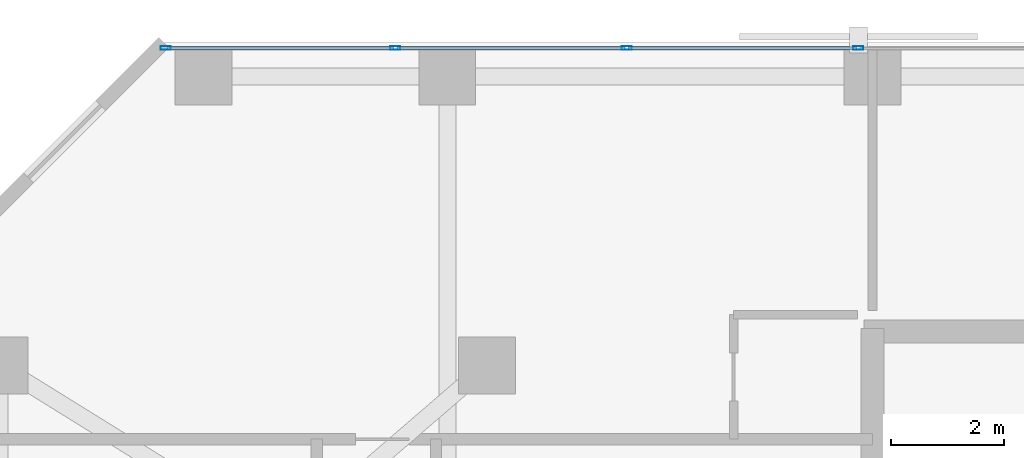
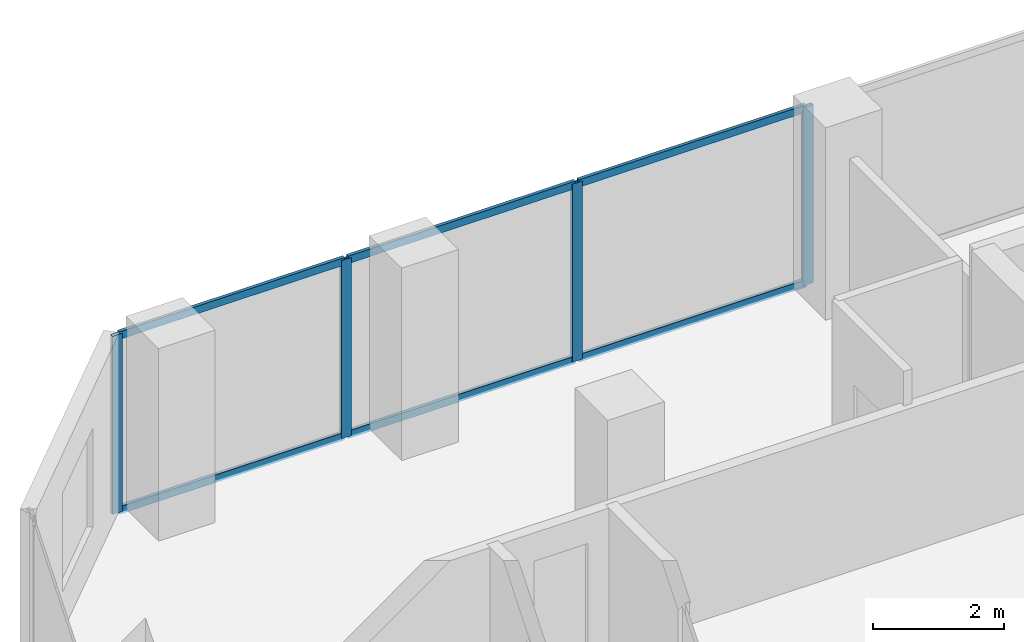
# One storey, part 20 of 32: 10 members, 1 element without a shape of its own.
"""IFC4 building model written with IfcOpenShell, lengths in metres."""

from ifc_helpers import new_model, si_unit, direction, frame, origin, origin_2d, place, context, subcontext, project, spatial, hollow_rectangle, extrude, material, layer, layer_set, material_profile, profile_set, type_object, element, aggregate, save


model = new_model("IFC4")

# Units and contexts
model_context = context("Model", 3, precision=1e-05, world=origin(), true_north=direction((0.0, 1.0)))
body_context = subcontext(model_context, "Body", "Model", "MODEL_VIEW")
ifc_project = project(units=[si_unit("LENGTHUNIT", "METRE"), si_unit("AREAUNIT", "SQUARE_METRE"), si_unit("VOLUMEUNIT", "CUBIC_METRE"), si_unit("PLANEANGLEUNIT", "RADIAN"), si_unit("MASSUNIT", "GRAM", prefix="KILO")], contexts=[model_context])

# Site, building, storey
site_placement = place(None, origin())
site = spatial("IfcSite", under=ifc_project, at=site_placement, CompositionType="ELEMENT")
building_placement = place(site_placement, origin())
building = spatial("IfcBuilding", under=site, at=building_placement, Name="Catumbela Crestline Tower", CompositionType="ELEMENT")
storey_placement = place(building_placement, frame((0.0, 0.0, 33.0)))
storey = spatial("IfcBuildingStorey", under=building, at=storey_placement, Name="L07", CompositionType="ELEMENT", Elevation=33.0)

# Curtain wall, members
ifc_material = material(Name="Aluminium alloy AW-6060-T66", Category="aluminium")
ifc_layer = layer(ifc_material, 0.18, Name="Aluminium alloy AW-6060-T66")
ifc_layer_set = layer_set([ifc_layer], Name="Aluminium alloy AW-6060-T66")
curtain_wall_type = type_object("IfcCurtainWallType", Name="CWU-Z1", PredefinedType="USERDEFINED", material=ifc_layer_set)
curtain_wall_placement = place(storey_placement, origin())
curtain_wall = element("IfcCurtainWall", 1, at=curtain_wall_placement, inside=storey, type_object=curtain_wall_type, Name="L07 Unitised Curtain Wall CW-L07-E7S1", ObjectType="UNITISED", PredefinedType="USERDEFINED")
ifc_material_profile_1 = material_profile(ifc_material, hollow_rectangle(XDim=0.065, YDim=0.18, WallThickness=0.004, at=origin_2d()), Name="ALU 180x65x4")
ifc_profile_set_1 = profile_set([ifc_material_profile_1], Name="Aluminium alloy AW-6060-T66")
member_type_1 = type_object("IfcMemberType", Name="MUL-180X65", PredefinedType="MULLION", material=ifc_profile_set_1)
member_1_placement = place(storey_placement, frame((15.75, 47.9, 0.0), z_axis=(0.0, 0.0, 1.0), x_axis=(0.0, -1.0, 0.0)))
member_1 = element("IfcMember", 2, at=member_1_placement, type_object=member_type_1, Name="CWU-Z1 mullion 10", PredefinedType="MULLION", context=body_context, shape_type="SweptSolid", body=[
    extrude(hollow_rectangle(XDim=0.065, YDim=0.18, WallThickness=0.004, at=origin_2d()), origin(), (0.0, 0.0, 1.0), 3.33),
])
member_2_placement = place(storey_placement, frame((11.6667, 47.9, 0.0), z_axis=(0.0, 0.0, 1.0), x_axis=(0.0, -1.0, 0.0)))
member_2 = element("IfcMember", 3, at=member_2_placement, type_object=member_type_1, Name="CWU-Z1 mullion 11", PredefinedType="MULLION", context=body_context, shape_type="SweptSolid", body=[
    extrude(hollow_rectangle(XDim=0.065, YDim=0.18, WallThickness=0.004, at=origin_2d()), origin(), (0.0, 0.0, 1.0), 3.33),
])
member_3_placement = place(storey_placement, frame((7.5833, 47.9, 0.0), z_axis=(0.0, 0.0, 1.0), x_axis=(0.0, -1.0, 0.0)))
member_3 = element("IfcMember", 4, at=member_3_placement, type_object=member_type_1, Name="CWU-Z1 mullion 12", PredefinedType="MULLION", context=body_context, shape_type="SweptSolid", body=[
    extrude(hollow_rectangle(XDim=0.065, YDim=0.18, WallThickness=0.004, at=origin_2d()), origin(), (0.0, 0.0, 1.0), 3.33),
])
member_4_placement = place(storey_placement, frame((3.5325, 47.9, 0.0), z_axis=(0.0, 0.0, 1.0), x_axis=(0.0, -1.0, 0.0)))
member_4 = element("IfcMember", 5, at=member_4_placement, type_object=member_type_1, Name="CWU-Z1 mullion 13", PredefinedType="MULLION", context=body_context, shape_type="SweptSolid", body=[
    extrude(hollow_rectangle(XDim=0.065, YDim=0.18, WallThickness=0.004, at=origin_2d()), origin(), (0.0, 0.0, 1.0), 3.33),
])
ifc_material_profile_2 = material_profile(ifc_material, hollow_rectangle(XDim=0.06, YDim=0.14, WallThickness=0.004, at=origin_2d()), Name="ALU 140x60x4")
ifc_profile_set_2 = profile_set([ifc_material_profile_2], Name="Aluminium alloy AW-6060-T66")
member_type_2 = type_object("IfcMemberType", Name="TRN-140X60", PredefinedType="USERDEFINED", material=ifc_profile_set_2)
member_5_placement = place(storey_placement, frame((15.7175, 47.9, 0.03), z_axis=(-1.0, 0.0, 0.0), x_axis=(0.0, -1.0, 0.0)))
member_5 = element("IfcMember", 6, at=member_5_placement, type_object=member_type_2, Name="CWU-Z1 transom 10.1", ObjectType="TRANSOM", PredefinedType="USERDEFINED", context=body_context, shape_type="SweptSolid", body=[
    extrude(hollow_rectangle(XDim=0.06, YDim=0.14, WallThickness=0.004, at=origin_2d()), origin(), (0.0, 0.0, 1.0), 4.0183),
])
member_6_placement = place(storey_placement, frame((15.7175, 47.9, 3.3), z_axis=(-1.0, 0.0, 0.0), x_axis=(0.0, -1.0, 0.0)))
member_6 = element("IfcMember", 7, at=member_6_placement, type_object=member_type_2, Name="CWU-Z1 transom 10.2", ObjectType="TRANSOM", PredefinedType="USERDEFINED", context=body_context, shape_type="SweptSolid", body=[
    extrude(hollow_rectangle(XDim=0.06, YDim=0.14, WallThickness=0.004, at=origin_2d()), origin(), (0.0, 0.0, 1.0), 4.0183),
])
member_7_placement = place(storey_placement, frame((11.6342, 47.9, 0.03), z_axis=(-1.0, 0.0, 0.0), x_axis=(0.0, -1.0, 0.0)))
member_7 = element("IfcMember", 8, at=member_7_placement, type_object=member_type_2, Name="CWU-Z1 transom 11.1", ObjectType="TRANSOM", PredefinedType="USERDEFINED", context=body_context, shape_type="SweptSolid", body=[
    extrude(hollow_rectangle(XDim=0.06, YDim=0.14, WallThickness=0.004, at=origin_2d()), origin(), (0.0, 0.0, 1.0), 4.0184),
])
member_8_placement = place(storey_placement, frame((11.6342, 47.9, 3.3), z_axis=(-1.0, 0.0, 0.0), x_axis=(0.0, -1.0, 0.0)))
member_8 = element("IfcMember", 9, at=member_8_placement, type_object=member_type_2, Name="CWU-Z1 transom 11.2", ObjectType="TRANSOM", PredefinedType="USERDEFINED", context=body_context, shape_type="SweptSolid", body=[
    extrude(hollow_rectangle(XDim=0.06, YDim=0.14, WallThickness=0.004, at=origin_2d()), origin(), (0.0, 0.0, 1.0), 4.0184),
])
member_9_placement = place(storey_placement, frame((7.5508, 47.9, 0.03), z_axis=(-1.0, 0.0, 0.0), x_axis=(0.0, -1.0, 0.0)))
member_9 = element("IfcMember", 10, at=member_9_placement, type_object=member_type_2, Name="CWU-Z1 transom 12.1", ObjectType="TRANSOM", PredefinedType="USERDEFINED", context=body_context, shape_type="SweptSolid", body=[
    extrude(hollow_rectangle(XDim=0.06, YDim=0.14, WallThickness=0.004, at=origin_2d()), origin(), (0.0, 0.0, 1.0), 3.9858),
])
member_10_placement = place(storey_placement, frame((7.5508, 47.9, 3.3), z_axis=(-1.0, 0.0, 0.0), x_axis=(0.0, -1.0, 0.0)))
member_10 = element("IfcMember", 11, at=member_10_placement, type_object=member_type_2, Name="CWU-Z1 transom 12.2", ObjectType="TRANSOM", PredefinedType="USERDEFINED", context=body_context, shape_type="SweptSolid", body=[
    extrude(hollow_rectangle(XDim=0.06, YDim=0.14, WallThickness=0.004, at=origin_2d()), origin(), (0.0, 0.0, 1.0), 3.9858),
])
aggregate(curtain_wall, [member_1, member_2, member_3, member_4, member_5, member_6, member_7, member_8, member_9, member_10])

save(model, "model.ifc")
